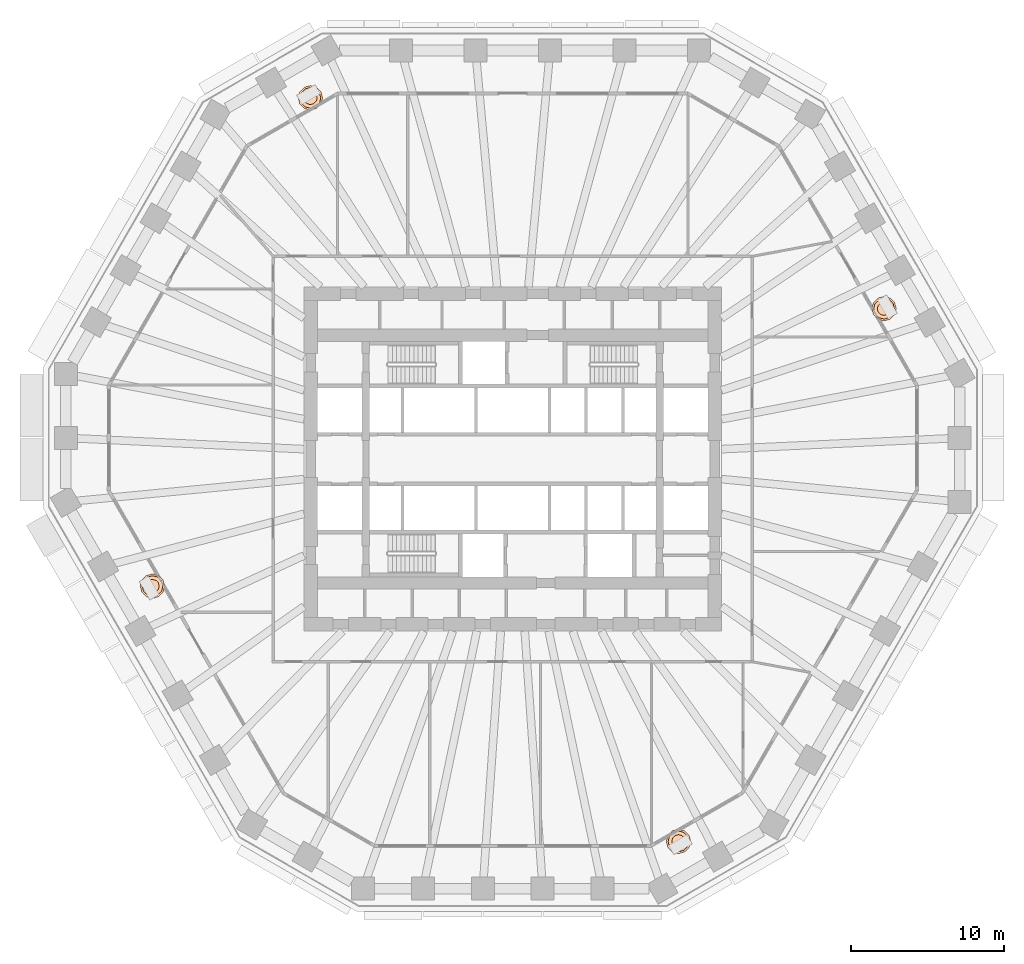
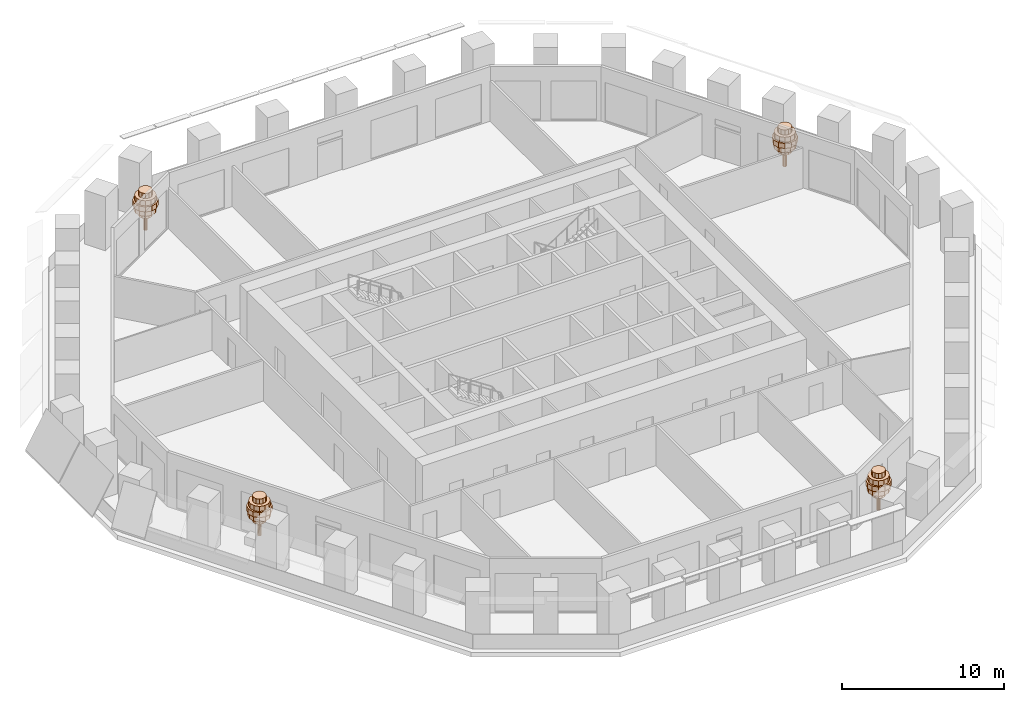
# One storey, part 12 of 12: 4 geographic elements.
"""IFC4 building model written with IfcOpenShell, lengths in metres."""

from ifc_helpers import new_model, si_unit, direction, frame, origin, place, context, subcontext, project, spatial, polyline, outline, extrude, material, type_object, element, save


model = new_model("IFC4")

# Units and contexts
model_context = context("Model", 3, precision=1e-05, world=origin(), true_north=direction((0.0, 1.0)))
body_context = subcontext(model_context, "Body", "Model", "MODEL_VIEW")
ifc_project = project(units=[si_unit("LENGTHUNIT", "METRE"), si_unit("AREAUNIT", "SQUARE_METRE"), si_unit("VOLUMEUNIT", "CUBIC_METRE"), si_unit("PLANEANGLEUNIT", "RADIAN"), si_unit("MASSUNIT", "GRAM", prefix="KILO")], contexts=[model_context])

# Site, building, storey
site_placement = place(None, origin())
site = spatial("IfcSite", under=ifc_project, at=site_placement, CompositionType="ELEMENT")
building_placement = place(site_placement, origin())
building = spatial("IfcBuilding", under=site, at=building_placement, Name="Frailejon Research Tower", CompositionType="ELEMENT")
storey_placement = place(building_placement, frame((0.0, 0.0, 63.0)))
storey = spatial("IfcBuildingStorey", under=building, at=storey_placement, Name="L14", CompositionType="ELEMENT", Elevation=63.0)

# Geographic elements
ifc_material = material(Name="Foliage, green")
geographic_element_type = type_object("IfcGeographicElementType", Name="Frailejon tree, loggia", PredefinedType="USERDEFINED", material=ifc_material)
geographic_element_1_placement = place(storey_placement, frame((24.27001953125, 9.82861328125, 0.60009765625)))
element("IfcGeographicElement", 1, at=geographic_element_1_placement, inside=storey, type_object=geographic_element_type, Name="Tree L14", ObjectType="TREE", PredefinedType="USERDEFINED", context=body_context, shape_type="SweptSolid", body=[
    extrude(outline(polyline([(0.1298828125, 0.0), (0.112548828125, 0.06494140625), (0.06494140625, 0.112548828125), (0.0, 0.1298828125), (-0.06494140625, 0.112548828125), (-0.112548828125, 0.06494140625), (-0.1298828125, 0.0), (-0.112548828125, -0.06494140625), (-0.06494140625, -0.112548828125), (0.0, -0.1298828125), (0.06494140625, -0.112548828125), (0.112548828125, -0.06494140625), (0.1298828125, 0.0)])), origin(), (0.0, 0.0, 1.0), 2.239990234375),
    extrude(outline(polyline([(0.43994140625, 0.0), (0.381103515625, 0.219970703125), (0.219970703125, 0.381103515625), (0.0, 0.43994140625), (-0.219970703125, 0.381103515625), (-0.381103515625, 0.219970703125), (-0.43994140625, 0.0), (-0.381103515625, -0.219970703125), (-0.219970703125, -0.381103515625), (0.0, -0.43994140625), (0.219970703125, -0.381103515625), (0.381103515625, -0.219970703125), (0.43994140625, 0.0)])), frame((0.0, 0.0, 1.10009765625)), (0.0, 0.0, 1.0), 0.3798828125),
    extrude(outline(polyline([(0.719970703125, 0.0), (0.62353515625, 0.360107421875), (0.360107421875, 0.62353515625), (0.0, 0.719970703125), (-0.360107421875, 0.62353515625), (-0.62353515625, 0.360107421875), (-0.719970703125, 0.0), (-0.62353515625, -0.360107421875), (-0.360107421875, -0.62353515625), (0.0, -0.719970703125), (0.360107421875, -0.62353515625), (0.62353515625, -0.360107421875), (0.719970703125, 0.0)])), frame((0.0, 0.0, 1.47998046875)), (0.0, 0.0, 1.0), 0.3798828125),
    extrude(outline(polyline([(0.800048828125, 0.0), (0.69287109375, 0.39990234375), (0.39990234375, 0.69287109375), (0.0, 0.800048828125), (-0.39990234375, 0.69287109375), (-0.69287109375, 0.39990234375), (-0.800048828125, 0.0), (-0.69287109375, -0.39990234375), (-0.39990234375, -0.69287109375), (0.0, -0.800048828125), (0.39990234375, -0.69287109375), (0.69287109375, -0.39990234375), (0.800048828125, 0.0)])), frame((0.0, 0.0, 1.860107421875)), (0.0, 0.0, 1.0), 0.3798828125),
    extrude(outline(polyline([(0.679931640625, 0.0), (0.5888671875, 0.340087890625), (0.340087890625, 0.5888671875), (0.0, 0.679931640625), (-0.340087890625, 0.5888671875), (-0.5888671875, 0.340087890625), (-0.679931640625, 0.0), (-0.5888671875, -0.340087890625), (-0.340087890625, -0.5888671875), (0.0, -0.679931640625), (0.340087890625, -0.5888671875), (0.5888671875, -0.340087890625), (0.679931640625, 0.0)])), frame((0.0, 0.0, 2.239990234375)), (0.0, 0.0, 1.0), 0.3798828125),
    extrude(outline(polyline([(0.43994140625, 0.0), (0.381103515625, 0.219970703125), (0.219970703125, 0.381103515625), (0.0, 0.43994140625), (-0.219970703125, 0.381103515625), (-0.381103515625, 0.219970703125), (-0.43994140625, 0.0), (-0.381103515625, -0.219970703125), (-0.219970703125, -0.381103515625), (0.0, -0.43994140625), (0.219970703125, -0.381103515625), (0.381103515625, -0.219970703125), (0.43994140625, 0.0)])), frame((0.0, 0.0, 2.6201171875)), (0.0, 0.0, 1.0), 0.3798828125),
])
geographic_element_2_placement = place(storey_placement, frame((-13.22802734375, 23.6103515625, 0.60009765625)))
element("IfcGeographicElement", 2, at=geographic_element_2_placement, inside=storey, type_object=geographic_element_type, Name="Tree L14", ObjectType="TREE", PredefinedType="USERDEFINED", context=body_context, shape_type="SweptSolid", body=[
    extrude(outline(polyline([(0.1298828125, 0.0), (0.112548828125, 0.06494140625), (0.06494140625, 0.112548828125), (0.0, 0.1298828125), (-0.06494140625, 0.112548828125), (-0.112548828125, 0.06494140625), (-0.1298828125, 0.0), (-0.112548828125, -0.06494140625), (-0.06494140625, -0.112548828125), (0.0, -0.1298828125), (0.06494140625, -0.112548828125), (0.112548828125, -0.06494140625), (0.1298828125, 0.0)])), origin(), (0.0, 0.0, 1.0), 2.239990234375),
    extrude(outline(polyline([(0.43994140625, 0.0), (0.381103515625, 0.219970703125), (0.219970703125, 0.381103515625), (0.0, 0.43994140625), (-0.219970703125, 0.381103515625), (-0.381103515625, 0.219970703125), (-0.43994140625, 0.0), (-0.381103515625, -0.219970703125), (-0.219970703125, -0.381103515625), (0.0, -0.43994140625), (0.219970703125, -0.381103515625), (0.381103515625, -0.219970703125), (0.43994140625, 0.0)])), frame((0.0, 0.0, 1.10009765625)), (0.0, 0.0, 1.0), 0.3798828125),
    extrude(outline(polyline([(0.719970703125, 0.0), (0.62353515625, 0.360107421875), (0.360107421875, 0.62353515625), (0.0, 0.719970703125), (-0.360107421875, 0.62353515625), (-0.62353515625, 0.360107421875), (-0.719970703125, 0.0), (-0.62353515625, -0.360107421875), (-0.360107421875, -0.62353515625), (0.0, -0.719970703125), (0.360107421875, -0.62353515625), (0.62353515625, -0.360107421875), (0.719970703125, 0.0)])), frame((0.0, 0.0, 1.47998046875)), (0.0, 0.0, 1.0), 0.3798828125),
    extrude(outline(polyline([(0.800048828125, 0.0), (0.69287109375, 0.39990234375), (0.39990234375, 0.69287109375), (0.0, 0.800048828125), (-0.39990234375, 0.69287109375), (-0.69287109375, 0.39990234375), (-0.800048828125, 0.0), (-0.69287109375, -0.39990234375), (-0.39990234375, -0.69287109375), (0.0, -0.800048828125), (0.39990234375, -0.69287109375), (0.69287109375, -0.39990234375), (0.800048828125, 0.0)])), frame((0.0, 0.0, 1.860107421875)), (0.0, 0.0, 1.0), 0.3798828125),
    extrude(outline(polyline([(0.679931640625, 0.0), (0.5888671875, 0.340087890625), (0.340087890625, 0.5888671875), (0.0, 0.679931640625), (-0.340087890625, 0.5888671875), (-0.5888671875, 0.340087890625), (-0.679931640625, 0.0), (-0.5888671875, -0.340087890625), (-0.340087890625, -0.5888671875), (0.0, -0.679931640625), (0.340087890625, -0.5888671875), (0.5888671875, -0.340087890625), (0.679931640625, 0.0)])), frame((0.0, 0.0, 2.239990234375)), (0.0, 0.0, 1.0), 0.3798828125),
    extrude(outline(polyline([(0.43994140625, 0.0), (0.381103515625, 0.219970703125), (0.219970703125, 0.381103515625), (0.0, 0.43994140625), (-0.219970703125, 0.381103515625), (-0.381103515625, 0.219970703125), (-0.43994140625, 0.0), (-0.381103515625, -0.219970703125), (-0.219970703125, -0.381103515625), (0.0, -0.43994140625), (0.219970703125, -0.381103515625), (0.381103515625, -0.219970703125), (0.43994140625, 0.0)])), frame((0.0, 0.0, 2.6201171875)), (0.0, 0.0, 1.0), 0.3798828125),
])
geographic_element_3_placement = place(storey_placement, frame((-23.551513671875, -8.3076171875, 0.60009765625)))
element("IfcGeographicElement", 3, at=geographic_element_3_placement, inside=storey, type_object=geographic_element_type, Name="Tree L14", ObjectType="TREE", PredefinedType="USERDEFINED", context=body_context, shape_type="SweptSolid", body=[
    extrude(outline(polyline([(0.1298828125, 0.0), (0.112548828125, 0.06494140625), (0.06494140625, 0.112548828125), (0.0, 0.1298828125), (-0.06494140625, 0.112548828125), (-0.112548828125, 0.06494140625), (-0.1298828125, 0.0), (-0.112548828125, -0.06494140625), (-0.06494140625, -0.112548828125), (0.0, -0.1298828125), (0.06494140625, -0.112548828125), (0.112548828125, -0.06494140625), (0.1298828125, 0.0)])), origin(), (0.0, 0.0, 1.0), 2.239990234375),
    extrude(outline(polyline([(0.43994140625, 0.0), (0.381103515625, 0.219970703125), (0.219970703125, 0.381103515625), (0.0, 0.43994140625), (-0.219970703125, 0.381103515625), (-0.381103515625, 0.219970703125), (-0.43994140625, 0.0), (-0.381103515625, -0.219970703125), (-0.219970703125, -0.381103515625), (0.0, -0.43994140625), (0.219970703125, -0.381103515625), (0.381103515625, -0.219970703125), (0.43994140625, 0.0)])), frame((0.0, 0.0, 1.10009765625)), (0.0, 0.0, 1.0), 0.3798828125),
    extrude(outline(polyline([(0.719970703125, 0.0), (0.62353515625, 0.360107421875), (0.360107421875, 0.62353515625), (0.0, 0.719970703125), (-0.360107421875, 0.62353515625), (-0.62353515625, 0.360107421875), (-0.719970703125, 0.0), (-0.62353515625, -0.360107421875), (-0.360107421875, -0.62353515625), (0.0, -0.719970703125), (0.360107421875, -0.62353515625), (0.62353515625, -0.360107421875), (0.719970703125, 0.0)])), frame((0.0, 0.0, 1.47998046875)), (0.0, 0.0, 1.0), 0.3798828125),
    extrude(outline(polyline([(0.800048828125, 0.0), (0.69287109375, 0.39990234375), (0.39990234375, 0.69287109375), (0.0, 0.800048828125), (-0.39990234375, 0.69287109375), (-0.69287109375, 0.39990234375), (-0.800048828125, 0.0), (-0.69287109375, -0.39990234375), (-0.39990234375, -0.69287109375), (0.0, -0.800048828125), (0.39990234375, -0.69287109375), (0.69287109375, -0.39990234375), (0.800048828125, 0.0)])), frame((0.0, 0.0, 1.860107421875)), (0.0, 0.0, 1.0), 0.3798828125),
    extrude(outline(polyline([(0.679931640625, 0.0), (0.5888671875, 0.340087890625), (0.340087890625, 0.5888671875), (0.0, 0.679931640625), (-0.340087890625, 0.5888671875), (-0.5888671875, 0.340087890625), (-0.679931640625, 0.0), (-0.5888671875, -0.340087890625), (-0.340087890625, -0.5888671875), (0.0, -0.679931640625), (0.340087890625, -0.5888671875), (0.5888671875, -0.340087890625), (0.679931640625, 0.0)])), frame((0.0, 0.0, 2.239990234375)), (0.0, 0.0, 1.0), 0.3798828125),
    extrude(outline(polyline([(0.43994140625, 0.0), (0.381103515625, 0.219970703125), (0.219970703125, 0.381103515625), (0.0, 0.43994140625), (-0.219970703125, 0.381103515625), (-0.381103515625, 0.219970703125), (-0.43994140625, 0.0), (-0.381103515625, -0.219970703125), (-0.219970703125, -0.381103515625), (0.0, -0.43994140625), (0.219970703125, -0.381103515625), (0.381103515625, -0.219970703125), (0.43994140625, 0.0)])), frame((0.0, 0.0, 2.6201171875)), (0.0, 0.0, 1.0), 0.3798828125),
])
geographic_element_4_placement = place(storey_placement, frame((10.8330078125, -24.992919921875, 0.60009765625)))
element("IfcGeographicElement", 4, at=geographic_element_4_placement, inside=storey, type_object=geographic_element_type, Name="Tree L14", ObjectType="TREE", PredefinedType="USERDEFINED", context=body_context, shape_type="SweptSolid", body=[
    extrude(outline(polyline([(0.1298828125, 0.0), (0.112548828125, 0.06494140625), (0.06494140625, 0.112548828125), (0.0, 0.1298828125), (-0.06494140625, 0.112548828125), (-0.112548828125, 0.06494140625), (-0.1298828125, 0.0), (-0.112548828125, -0.06494140625), (-0.06494140625, -0.112548828125), (0.0, -0.1298828125), (0.06494140625, -0.112548828125), (0.112548828125, -0.06494140625), (0.1298828125, 0.0)])), origin(), (0.0, 0.0, 1.0), 2.239990234375),
    extrude(outline(polyline([(0.43994140625, 0.0), (0.381103515625, 0.219970703125), (0.219970703125, 0.381103515625), (0.0, 0.43994140625), (-0.219970703125, 0.381103515625), (-0.381103515625, 0.219970703125), (-0.43994140625, 0.0), (-0.381103515625, -0.219970703125), (-0.219970703125, -0.381103515625), (0.0, -0.43994140625), (0.219970703125, -0.381103515625), (0.381103515625, -0.219970703125), (0.43994140625, 0.0)])), frame((0.0, 0.0, 1.10009765625)), (0.0, 0.0, 1.0), 0.3798828125),
    extrude(outline(polyline([(0.719970703125, 0.0), (0.62353515625, 0.360107421875), (0.360107421875, 0.62353515625), (0.0, 0.719970703125), (-0.360107421875, 0.62353515625), (-0.62353515625, 0.360107421875), (-0.719970703125, 0.0), (-0.62353515625, -0.360107421875), (-0.360107421875, -0.62353515625), (0.0, -0.719970703125), (0.360107421875, -0.62353515625), (0.62353515625, -0.360107421875), (0.719970703125, 0.0)])), frame((0.0, 0.0, 1.47998046875)), (0.0, 0.0, 1.0), 0.3798828125),
    extrude(outline(polyline([(0.800048828125, 0.0), (0.69287109375, 0.39990234375), (0.39990234375, 0.69287109375), (0.0, 0.800048828125), (-0.39990234375, 0.69287109375), (-0.69287109375, 0.39990234375), (-0.800048828125, 0.0), (-0.69287109375, -0.39990234375), (-0.39990234375, -0.69287109375), (0.0, -0.800048828125), (0.39990234375, -0.69287109375), (0.69287109375, -0.39990234375), (0.800048828125, 0.0)])), frame((0.0, 0.0, 1.860107421875)), (0.0, 0.0, 1.0), 0.3798828125),
    extrude(outline(polyline([(0.679931640625, 0.0), (0.5888671875, 0.340087890625), (0.340087890625, 0.5888671875), (0.0, 0.679931640625), (-0.340087890625, 0.5888671875), (-0.5888671875, 0.340087890625), (-0.679931640625, 0.0), (-0.5888671875, -0.340087890625), (-0.340087890625, -0.5888671875), (0.0, -0.679931640625), (0.340087890625, -0.5888671875), (0.5888671875, -0.340087890625), (0.679931640625, 0.0)])), frame((0.0, 0.0, 2.239990234375)), (0.0, 0.0, 1.0), 0.3798828125),
    extrude(outline(polyline([(0.43994140625, 0.0), (0.381103515625, 0.219970703125), (0.219970703125, 0.381103515625), (0.0, 0.43994140625), (-0.219970703125, 0.381103515625), (-0.381103515625, 0.219970703125), (-0.43994140625, 0.0), (-0.381103515625, -0.219970703125), (-0.219970703125, -0.381103515625), (0.0, -0.43994140625), (0.219970703125, -0.381103515625), (0.381103515625, -0.219970703125), (0.43994140625, 0.0)])), frame((0.0, 0.0, 2.6201171875)), (0.0, 0.0, 1.0), 0.3798828125),
])

save(model, "model.ifc")
